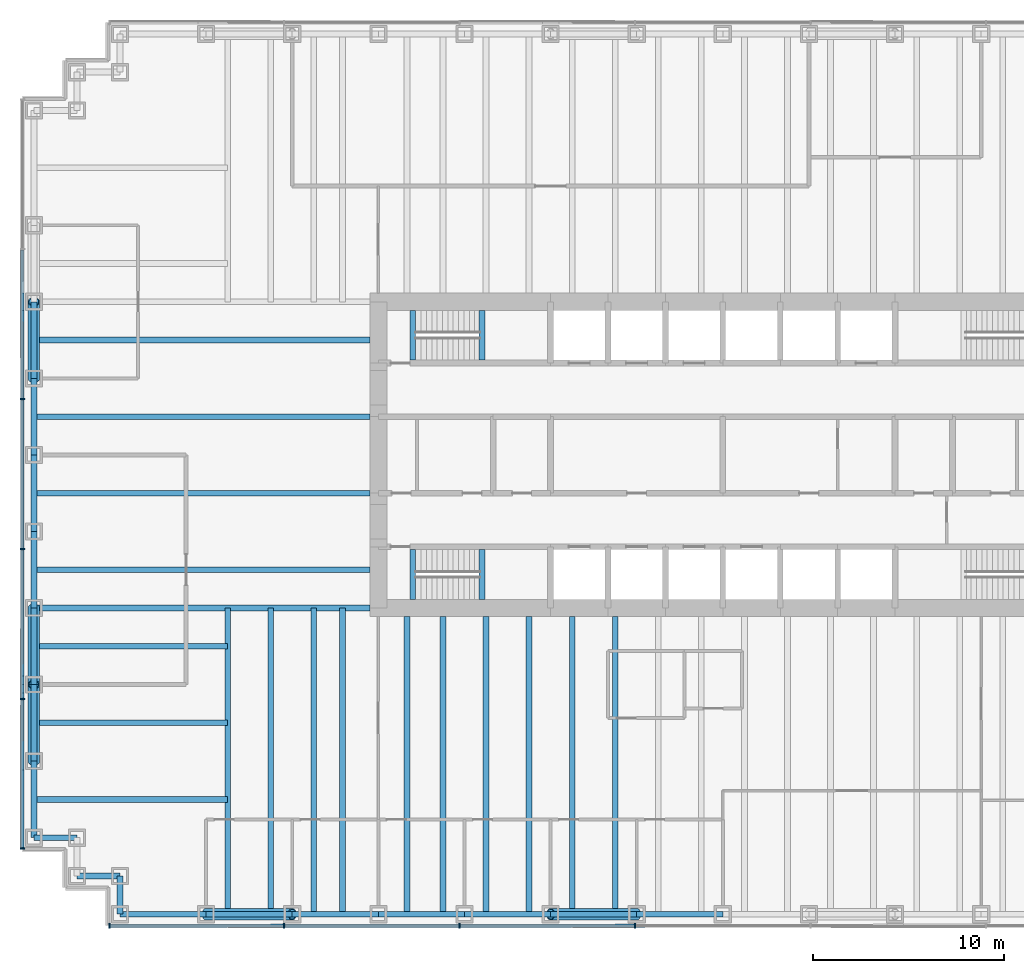
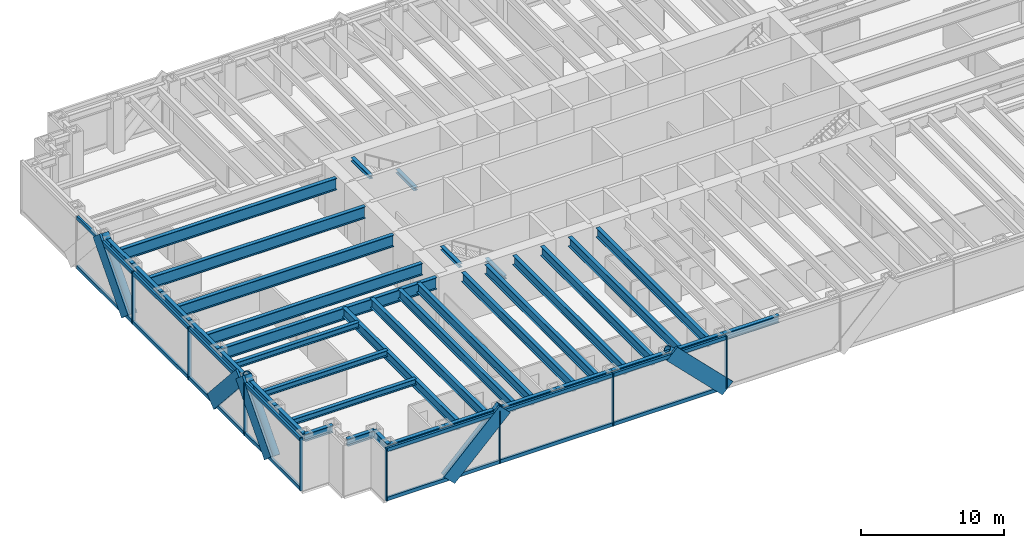
# One storey, part 2 of 13: 39 beams, 32 members, 2 elements without a shape of their own.
"""IFC4 building model written with IfcOpenShell, lengths in metres."""

from ifc_helpers import new_model, si_unit, direction, frame, origin, origin_2d, place, context, subcontext, project, spatial, rectangle, hollow_circle, i_section, extrude, material, material_profile, profile_set, type_object, element, aggregate, save


model = new_model("IFC4")

# Units and contexts
model_context = context("Model", 3, precision=1e-05, world=origin(), true_north=direction((0.0, 1.0)))
body_context = subcontext(model_context, "Body", "Model", "MODEL_VIEW")
ifc_project = project(units=[si_unit("LENGTHUNIT", "METRE"), si_unit("AREAUNIT", "SQUARE_METRE"), si_unit("VOLUMEUNIT", "CUBIC_METRE"), si_unit("PLANEANGLEUNIT", "RADIAN"), si_unit("MASSUNIT", "GRAM", prefix="KILO")], contexts=[model_context])

# Site, building, storey
site_placement = place(None, origin())
site = spatial("IfcSite", under=ifc_project, at=site_placement, CompositionType="ELEMENT")
building_placement = place(site_placement, origin())
building = spatial("IfcBuilding", under=site, at=building_placement, Name="Rheinbord Bourse Tower", CompositionType="ELEMENT")
storey_placement = place(building_placement, frame((0.0, 0.0, 68.0)))
storey = spatial("IfcBuildingStorey", under=building, at=storey_placement, Name="L14", CompositionType="ELEMENT", Elevation=68.0)

# Curtain wall, members
ifc_material_1 = material(Name="Dark glass and black aluminium", Category="aluminium")
curtain_wall_type = type_object("IfcCurtainWallType", Name="CW1 DARK GLASS CURTAIN WALL", PredefinedType="USERDEFINED", material=ifc_material_1)
curtain_wall_1_placement = place(storey_placement, origin())
curtain_wall_1 = element("IfcCurtainWall", 1, at=curtain_wall_1_placement, inside=storey, type_object=curtain_wall_type, Name="Curtain wall CW1 S L14", ObjectType="UNITISED CURTAIN WALL", PredefinedType="USERDEFINED")
ifc_material_2 = material(Name="Black anodised aluminium", Category="aluminium")
ifc_material_profile_1 = material_profile(ifc_material_2, rectangle(XDim=0.179931640625, YDim=1.2099609375, at=origin_2d()), Name="CW1 DIAGONAL MULLION 1210x180")
ifc_profile_set_1 = profile_set([ifc_material_profile_1], Name="Black anodised aluminium")
member_type_1 = type_object("IfcMemberType", Name="CW1 BLACK DIAGONAL MULLION", PredefinedType="USERDEFINED", material=ifc_profile_set_1)
member_1_placement = place(storey_placement, frame((9.0, -0.60009765625, 0.0), z_axis=(0.707106781187, 0.0, 0.707106781187), x_axis=(0.0, 1.0, 0.0)))
member_1 = element("IfcMember", 2, at=member_1_placement, type_object=member_type_1, Name="CW1 diagonal mullion b", ObjectType="DIAGONAL MULLION", PredefinedType="USERDEFINED", context=body_context, shape_type="SweptSolid", body=[
    extrude(rectangle(XDim=0.179931640625, YDim=1.2099609375, at=origin_2d()), origin(), (0.0, 0.0, 1.0), 6.364013671875),
])
member_2_placement = place(storey_placement, frame((31.5, -0.60009765625, 0.0), z_axis=(-0.707106781187, 0.0, 0.707106781187), x_axis=(0.0, -1.0, 0.0)))
member_2 = element("IfcMember", 3, at=member_2_placement, type_object=member_type_1, Name="CW1 diagonal mullion c", ObjectType="DIAGONAL MULLION", PredefinedType="USERDEFINED", context=body_context, shape_type="SweptSolid", body=[
    extrude(rectangle(XDim=0.179931640625, YDim=1.2099609375, at=origin_2d()), origin(), (0.0, 0.0, 1.0), 6.364013671875),
])

curtain_wall_2_placement = place(storey_placement, origin())
curtain_wall_2 = element("IfcCurtainWall", 4, at=curtain_wall_2_placement, inside=storey, type_object=curtain_wall_type, Name="Curtain wall CW1 W L14", ObjectType="UNITISED CURTAIN WALL", PredefinedType="USERDEFINED")
member_3_placement = place(storey_placement, frame((-0.60009765625, 16.0, 0.0), z_axis=(0.0, -0.66436383883, 0.747409318684), x_axis=(1.0, 0.0, 0.0)))
member_3 = element("IfcMember", 5, at=member_3_placement, type_object=member_type_1, Name="CW1 diagonal mullion a", ObjectType="DIAGONAL MULLION", PredefinedType="USERDEFINED", context=body_context, shape_type="SweptSolid", body=[
    extrude(rectangle(XDim=0.179931640625, YDim=1.2099609375, at=origin_2d()), origin(), (0.0, 0.0, 1.0), 6.020751953125),
])
member_4_placement = place(storey_placement, frame((-0.60009765625, 28.0, 0.0), z_axis=(0.0, 0.66436383883, 0.747409318684), x_axis=(-1.0, 0.0, 0.0)))
member_4 = element("IfcMember", 6, at=member_4_placement, type_object=member_type_1, Name="CW1 diagonal mullion b", ObjectType="DIAGONAL MULLION", PredefinedType="USERDEFINED", context=body_context, shape_type="SweptSolid", body=[
    extrude(rectangle(XDim=0.179931640625, YDim=1.2099609375, at=origin_2d()), origin(), (0.0, 0.0, 1.0), 6.020751953125),
])
member_5_placement = place(storey_placement, frame((-0.60009765625, 8.0, 0.0), z_axis=(0.0, 0.66436383883, 0.747409318684), x_axis=(-1.0, 0.0, 0.0)))
member_5 = element("IfcMember", 7, at=member_5_placement, type_object=member_type_1, Name="CW1 diagonal mullion c", ObjectType="DIAGONAL MULLION", PredefinedType="USERDEFINED", context=body_context, shape_type="SweptSolid", body=[
    extrude(rectangle(XDim=0.179931640625, YDim=1.2099609375, at=origin_2d()), origin(), (0.0, 0.0, 1.0), 6.020751953125),
])

# Member
ifc_material_3 = material(Name="Black anodised aluminium", Category="aluminium")
ifc_material_profile_2 = material_profile(ifc_material_3, rectangle(XDim=0.25, YDim=0.080078125, at=origin_2d()), Name="CW1 MULLION 80x250")
ifc_profile_set_2 = profile_set([ifc_material_profile_2], Name="Black anodised aluminium")
member_type_2 = type_object("IfcMemberType", Name="CW1 BLACK MULLION", PredefinedType="MULLION", material=ifc_profile_set_2)
member_6_placement = place(storey_placement, frame((3.93994140625, -0.60009765625, 0.0), z_axis=(0.0, 0.0, 1.0), x_axis=(0.0, 1.0, 0.0)))
member_6 = element("IfcMember", 8, at=member_6_placement, type_object=member_type_2, Name="CW1 mullion 1", PredefinedType="MULLION", context=body_context, shape_type="SweptSolid", body=[
    extrude(rectangle(XDim=0.25, YDim=0.080078125, at=origin_2d()), origin(), (0.0, 0.0, 1.0), 4.5),
])

member_7_placement = place(storey_placement, frame((13.071533203125, -0.60009765625, 0.0), z_axis=(0.0, 0.0, 1.0), x_axis=(0.0, 1.0, 0.0)))
member_7 = element("IfcMember", 9, at=member_7_placement, type_object=member_type_2, Name="CW1 mullion 2", PredefinedType="MULLION", context=body_context, shape_type="SweptSolid", body=[
    extrude(rectangle(XDim=0.25, YDim=0.080078125, at=origin_2d()), origin(), (0.0, 0.0, 1.0), 4.5),
])

member_8_placement = place(storey_placement, frame((22.242919921875, -0.60009765625, 0.0), z_axis=(0.0, 0.0, 1.0), x_axis=(0.0, 1.0, 0.0)))
member_8 = element("IfcMember", 10, at=member_8_placement, type_object=member_type_2, Name="CW1 mullion 3", PredefinedType="MULLION", context=body_context, shape_type="SweptSolid", body=[
    extrude(rectangle(XDim=0.25, YDim=0.080078125, at=origin_2d()), origin(), (0.0, 0.0, 1.0), 4.5),
])

member_9_placement = place(storey_placement, frame((31.414306640625, -0.60009765625, 0.0), z_axis=(0.0, 0.0, 1.0), x_axis=(0.0, 1.0, 0.0)))
member_9 = element("IfcMember", 11, at=member_9_placement, type_object=member_type_2, Name="CW1 mullion 4", PredefinedType="MULLION", context=body_context, shape_type="SweptSolid", body=[
    extrude(rectangle(XDim=0.25, YDim=0.080078125, at=origin_2d()), origin(), (0.0, 0.0, 1.0), 4.5),
])

member_10_placement = place(storey_placement, frame((-0.60009765625, 26.919921875, 0.0), z_axis=(0.0, 0.0, 1.0), x_axis=(1.0, 0.0, 0.0)))
member_10 = element("IfcMember", 12, at=member_10_placement, type_object=member_type_2, Name="CW1 mullion 3", PredefinedType="MULLION", context=body_context, shape_type="SweptSolid", body=[
    extrude(rectangle(XDim=0.25, YDim=0.080078125, at=origin_2d()), origin(), (0.0, 0.0, 1.0), 4.5),
])

member_11_placement = place(storey_placement, frame((-0.60009765625, 19.080078125, 0.0), z_axis=(0.0, 0.0, 1.0), x_axis=(1.0, 0.0, 0.0)))
member_11 = element("IfcMember", 13, at=member_11_placement, type_object=member_type_2, Name="CW1 mullion 4", PredefinedType="MULLION", context=body_context, shape_type="SweptSolid", body=[
    extrude(rectangle(XDim=0.25, YDim=0.080078125, at=origin_2d()), origin(), (0.0, 0.0, 1.0), 4.5),
])

member_12_placement = place(storey_placement, frame((-0.60009765625, 11.239990234375, 0.0), z_axis=(0.0, 0.0, 1.0), x_axis=(1.0, 0.0, 0.0)))
member_12 = element("IfcMember", 14, at=member_12_placement, type_object=member_type_2, Name="CW1 mullion 5", PredefinedType="MULLION", context=body_context, shape_type="SweptSolid", body=[
    extrude(rectangle(XDim=0.25, YDim=0.080078125, at=origin_2d()), origin(), (0.0, 0.0, 1.0), 4.5),
])

member_13_placement = place(storey_placement, frame((-0.60009765625, 3.43994140625, 0.0), z_axis=(0.0, 0.0, 1.0), x_axis=(1.0, 0.0, 0.0)))
member_13 = element("IfcMember", 15, at=member_13_placement, type_object=member_type_2, Name="CW1 mullion 6", PredefinedType="MULLION", context=body_context, shape_type="SweptSolid", body=[
    extrude(rectangle(XDim=0.25, YDim=0.080078125, at=origin_2d()), origin(), (0.0, 0.0, 1.0), 4.5),
])

ifc_material_4 = material(Name="Black anodised aluminium", Category="aluminium")
ifc_material_profile_3 = material_profile(ifc_material_4, rectangle(XDim=0.179931640625, YDim=0.300048828125, at=origin_2d()), Name="CW1 TRANSOM 300x180")
ifc_profile_set_3 = profile_set([ifc_material_profile_3], Name="Black anodised aluminium")
member_type_3 = type_object("IfcMemberType", Name="CW1 BLACK TRANSOM", PredefinedType="USERDEFINED", material=ifc_profile_set_3)
member_14_placement = place(storey_placement, frame((3.97998046875, -0.60009765625, 0.14990234375), z_axis=(1.0, 0.0, 0.0), x_axis=(0.0, 1.0, 0.0)))
member_14 = element("IfcMember", 16, at=member_14_placement, type_object=member_type_3, Name="CW1 transom 1.1", ObjectType="TRANSOM", PredefinedType="USERDEFINED", context=body_context, shape_type="SweptSolid", body=[
    extrude(rectangle(XDim=0.179931640625, YDim=0.300048828125, at=origin_2d()), origin(), (0.0, 0.0, 1.0), 9.051513671875),
])

member_15_placement = place(storey_placement, frame((3.97998046875, -0.60009765625, 4.35009765625), z_axis=(1.0, 0.0, 0.0), x_axis=(0.0, 1.0, 0.0)))
member_15 = element("IfcMember", 17, at=member_15_placement, type_object=member_type_3, Name="CW1 transom 1.2", ObjectType="TRANSOM", PredefinedType="USERDEFINED", context=body_context, shape_type="SweptSolid", body=[
    extrude(rectangle(XDim=0.179931640625, YDim=0.300048828125, at=origin_2d()), origin(), (0.0, 0.0, 1.0), 9.051513671875),
])

member_16_placement = place(storey_placement, frame((13.111328125, -0.60009765625, 0.14990234375), z_axis=(1.0, 0.0, 0.0), x_axis=(0.0, 1.0, 0.0)))
member_16 = element("IfcMember", 18, at=member_16_placement, type_object=member_type_3, Name="CW1 transom 2.1", ObjectType="TRANSOM", PredefinedType="USERDEFINED", context=body_context, shape_type="SweptSolid", body=[
    extrude(rectangle(XDim=0.179931640625, YDim=0.300048828125, at=origin_2d()), origin(), (0.0, 0.0, 1.0), 9.091552734375),
])

member_17_placement = place(storey_placement, frame((13.111328125, -0.60009765625, 4.35009765625), z_axis=(1.0, 0.0, 0.0), x_axis=(0.0, 1.0, 0.0)))
member_17 = element("IfcMember", 19, at=member_17_placement, type_object=member_type_3, Name="CW1 transom 2.2", ObjectType="TRANSOM", PredefinedType="USERDEFINED", context=body_context, shape_type="SweptSolid", body=[
    extrude(rectangle(XDim=0.179931640625, YDim=0.300048828125, at=origin_2d()), origin(), (0.0, 0.0, 1.0), 9.091552734375),
])

member_18_placement = place(storey_placement, frame((22.282958984375, -0.60009765625, 0.14990234375), z_axis=(1.0, 0.0, 0.0), x_axis=(0.0, 1.0, 0.0)))
member_18 = element("IfcMember", 20, at=member_18_placement, type_object=member_type_3, Name="CW1 transom 3.1", ObjectType="TRANSOM", PredefinedType="USERDEFINED", context=body_context, shape_type="SweptSolid", body=[
    extrude(rectangle(XDim=0.179931640625, YDim=0.300048828125, at=origin_2d()), origin(), (0.0, 0.0, 1.0), 9.09130859375),
])

member_19_placement = place(storey_placement, frame((22.282958984375, -0.60009765625, 4.35009765625), z_axis=(1.0, 0.0, 0.0), x_axis=(0.0, 1.0, 0.0)))
member_19 = element("IfcMember", 21, at=member_19_placement, type_object=member_type_3, Name="CW1 transom 3.2", ObjectType="TRANSOM", PredefinedType="USERDEFINED", context=body_context, shape_type="SweptSolid", body=[
    extrude(rectangle(XDim=0.179931640625, YDim=0.300048828125, at=origin_2d()), origin(), (0.0, 0.0, 1.0), 9.09130859375),
])

aggregate(curtain_wall_1, [member_6, member_7, member_8, member_9, member_14, member_15, member_16, member_17, member_18, member_19, member_1, member_2])

member_20_placement = place(storey_placement, frame((-0.60009765625, 34.719970703125, 0.14990234375), z_axis=(0.0, -1.0, 0.0), x_axis=(1.0, 0.0, 0.0)))
member_20 = element("IfcMember", 22, at=member_20_placement, type_object=member_type_3, Name="CW1 transom 2.1", ObjectType="TRANSOM", PredefinedType="USERDEFINED", context=body_context, shape_type="SweptSolid", body=[
    extrude(rectangle(XDim=0.179931640625, YDim=0.300048828125, at=origin_2d()), origin(), (0.0, 0.0, 1.0), 7.760009765625),
])

member_21_placement = place(storey_placement, frame((-0.60009765625, 34.719970703125, 4.35009765625), z_axis=(0.0, -1.0, 0.0), x_axis=(1.0, 0.0, 0.0)))
member_21 = element("IfcMember", 23, at=member_21_placement, type_object=member_type_3, Name="CW1 transom 2.2", ObjectType="TRANSOM", PredefinedType="USERDEFINED", context=body_context, shape_type="SweptSolid", body=[
    extrude(rectangle(XDim=0.179931640625, YDim=0.300048828125, at=origin_2d()), origin(), (0.0, 0.0, 1.0), 7.760009765625),
])

member_22_placement = place(storey_placement, frame((-0.60009765625, 26.8798828125, 0.14990234375), z_axis=(0.0, -1.0, 0.0), x_axis=(1.0, 0.0, 0.0)))
member_22 = element("IfcMember", 24, at=member_22_placement, type_object=member_type_3, Name="CW1 transom 3.1", ObjectType="TRANSOM", PredefinedType="USERDEFINED", context=body_context, shape_type="SweptSolid", body=[
    extrude(rectangle(XDim=0.179931640625, YDim=0.300048828125, at=origin_2d()), origin(), (0.0, 0.0, 1.0), 7.759765625),
])

member_23_placement = place(storey_placement, frame((-0.60009765625, 26.8798828125, 4.35009765625), z_axis=(0.0, -1.0, 0.0), x_axis=(1.0, 0.0, 0.0)))
member_23 = element("IfcMember", 25, at=member_23_placement, type_object=member_type_3, Name="CW1 transom 3.2", ObjectType="TRANSOM", PredefinedType="USERDEFINED", context=body_context, shape_type="SweptSolid", body=[
    extrude(rectangle(XDim=0.179931640625, YDim=0.300048828125, at=origin_2d()), origin(), (0.0, 0.0, 1.0), 7.759765625),
])

member_24_placement = place(storey_placement, frame((-0.60009765625, 19.0400390625, 0.14990234375), z_axis=(0.0, -1.0, 0.0), x_axis=(1.0, 0.0, 0.0)))
member_24 = element("IfcMember", 26, at=member_24_placement, type_object=member_type_3, Name="CW1 transom 4.1", ObjectType="TRANSOM", PredefinedType="USERDEFINED", context=body_context, shape_type="SweptSolid", body=[
    extrude(rectangle(XDim=0.179931640625, YDim=0.300048828125, at=origin_2d()), origin(), (0.0, 0.0, 1.0), 7.760009765625),
])

member_25_placement = place(storey_placement, frame((-0.60009765625, 19.0400390625, 4.35009765625), z_axis=(0.0, -1.0, 0.0), x_axis=(1.0, 0.0, 0.0)))
member_25 = element("IfcMember", 27, at=member_25_placement, type_object=member_type_3, Name="CW1 transom 4.2", ObjectType="TRANSOM", PredefinedType="USERDEFINED", context=body_context, shape_type="SweptSolid", body=[
    extrude(rectangle(XDim=0.179931640625, YDim=0.300048828125, at=origin_2d()), origin(), (0.0, 0.0, 1.0), 7.760009765625),
])

member_26_placement = place(storey_placement, frame((-0.60009765625, 11.199951171875, 0.14990234375), z_axis=(0.0, -1.0, 0.0), x_axis=(1.0, 0.0, 0.0)))
member_26 = element("IfcMember", 28, at=member_26_placement, type_object=member_type_3, Name="CW1 transom 5.1", ObjectType="TRANSOM", PredefinedType="USERDEFINED", context=body_context, shape_type="SweptSolid", body=[
    extrude(rectangle(XDim=0.179931640625, YDim=0.300048828125, at=origin_2d()), origin(), (0.0, 0.0, 1.0), 7.719970703125),
])

member_27_placement = place(storey_placement, frame((-0.60009765625, 11.199951171875, 4.35009765625), z_axis=(0.0, -1.0, 0.0), x_axis=(1.0, 0.0, 0.0)))
member_27 = element("IfcMember", 29, at=member_27_placement, type_object=member_type_3, Name="CW1 transom 5.2", ObjectType="TRANSOM", PredefinedType="USERDEFINED", context=body_context, shape_type="SweptSolid", body=[
    extrude(rectangle(XDim=0.179931640625, YDim=0.300048828125, at=origin_2d()), origin(), (0.0, 0.0, 1.0), 7.719970703125),
])

aggregate(curtain_wall_2, [member_10, member_11, member_12, member_13, member_20, member_21, member_22, member_23, member_24, member_25, member_26, member_27, member_3, member_4, member_5])

# Beams
ifc_material_5 = material(Name="Steel S460", Category="steel")
ifc_material_profile_4 = material_profile(ifc_material_5, i_section(OverallWidth=0.302001953125, OverallDepth=1.008056640625, WebThickness=0.02099609375, FlangeThickness=0.0400390625, at=origin_2d()), Name="HEM 1000")
ifc_profile_set_4 = profile_set([ifc_material_profile_4], Name="Steel S460")
beam_type_1 = type_object("IfcBeamType", Name="END BEAM HEM 1000", PredefinedType="BEAM", material=ifc_profile_set_4)
for number, where, z_axis, x_axis, name in (
    (30, (0.0, 18.0, 3.81591796875), (1.0, 0.0, 0.0), (0.0, 1.0, 0.0), "End beam west 18 L15"),
    (31, (0.0, 22.0, 3.81591796875), (1.0, 0.0, 0.0), (0.0, 1.0, 0.0), "End beam west 22 L15"),
    (32, (0.0, 26.0, 3.81591796875), (1.0, 0.0, 0.0), (0.0, 1.0, 0.0), "End beam west 26 L15"),
    (33, (0.0, 30.0, 3.81591796875), (1.0, 0.0, 0.0), (0.0, 1.0, 0.0), "End beam west 30 L15"),
):
    element("IfcBeam", number, at=place(storey_placement, frame(where, z_axis=z_axis, x_axis=x_axis)), inside=storey, type_object=beam_type_1, Name=name, PredefinedType="BEAM", context=body_context, shape_type="SweptSolid", body=[
        extrude(i_section(OverallWidth=0.302001953125, OverallDepth=1.008056640625, WebThickness=0.02099609375, FlangeThickness=0.0400390625, at=origin_2d()), origin(), (0.0, 0.0, 1.0), 17.550048828125),
    ])
ifc_material_6 = material(Name="Steel S460", Category="steel")
ifc_material_profile_5 = material_profile(ifc_material_6, i_section(OverallWidth=0.300048828125, OverallDepth=0.800048828125, WebThickness=0.017578125, FlangeThickness=0.032958984375, at=origin_2d()), Name="HEB 800")
ifc_profile_set_5 = profile_set([ifc_material_profile_5], Name="Steel S460")
beam_type_2 = type_object("IfcBeamType", Name="FLOOR BEAM HEB 800", PredefinedType="BEAM", material=ifc_profile_set_5)
for number, where, z_axis, x_axis, name in (
    (34, (10.125, 0.0, 3.919921875), (0.0, 1.0, 0.0), (-1.0, 0.0, 0.0), "Floor beam S-9a L15"),
    (35, (12.375, 0.0, 3.919921875), (0.0, 1.0, 0.0), (-1.0, 0.0, 0.0), "Floor beam S-9b L15"),
    (36, (14.625, 0.0, 3.919921875), (0.0, 1.0, 0.0), (-1.0, 0.0, 0.0), "Floor beam S-13.5a L15"),
    (37, (16.125, 0.0, 3.919921875), (0.0, 1.0, 0.0), (-1.0, 0.0, 0.0), "Floor beam S-13.5b L15"),
):
    element("IfcBeam", number, at=place(storey_placement, frame(where, z_axis=z_axis, x_axis=x_axis)), inside=storey, type_object=beam_type_2, Name=name, PredefinedType="BEAM", context=body_context, shape_type="SweptSolid", body=[
        extrude(i_section(OverallWidth=0.300048828125, OverallDepth=0.800048828125, WebThickness=0.017578125, FlangeThickness=0.032958984375, at=origin_2d()), origin(), (0.0, 0.0, 1.0), 16.0),
    ])
for number, where, z_axis, x_axis, name in (
    (38, (19.5, 0.0, 3.919921875), (0.0, 1.0, 0.0), (-1.0, 0.0, 0.0), "Floor beam S-18a L15"),
    (39, (21.375, 0.0, 3.919921875), (0.0, 1.0, 0.0), (-1.0, 0.0, 0.0), "Floor beam S-18b L15"),
    (40, (23.625, 0.0, 3.919921875), (0.0, 1.0, 0.0), (-1.0, 0.0, 0.0), "Floor beam S-22.5a L15"),
    (41, (25.875, 0.0, 3.919921875), (0.0, 1.0, 0.0), (-1.0, 0.0, 0.0), "Floor beam S-22.5b L15"),
    (42, (28.125, 0.0, 3.919921875), (0.0, 1.0, 0.0), (-1.0, 0.0, 0.0), "Floor beam S-27a L15"),
    (43, (30.375, 0.0, 3.919921875), (0.0, 1.0, 0.0), (-1.0, 0.0, 0.0), "Floor beam S-27b L15"),
):
    element("IfcBeam", number, at=place(storey_placement, frame(where, z_axis=z_axis, x_axis=x_axis)), inside=storey, type_object=beam_type_2, Name=name, PredefinedType="BEAM", context=body_context, shape_type="SweptSolid", body=[
        extrude(i_section(OverallWidth=0.300048828125, OverallDepth=0.800048828125, WebThickness=0.017578125, FlangeThickness=0.032958984375, at=origin_2d()), origin(), (0.0, 0.0, 1.0), 15.550048828125),
    ])
ifc_material_7 = material(Name="Steel S460", Category="steel")
ifc_material_profile_6 = material_profile(ifc_material_7, i_section(OverallWidth=0.302001953125, OverallDepth=1.008056640625, WebThickness=0.02099609375, FlangeThickness=0.0400390625, at=origin_2d()), Name="HEM 1000")
ifc_profile_set_6 = profile_set([ifc_material_profile_6], Name="Steel S460")
beam_type_3 = type_object("IfcBeamType", Name="GIRDER HEM 1000", PredefinedType="BEAM", material=ifc_profile_set_6)
beam_1_placement = place(storey_placement, frame((0.0, 16.0, 3.81591796875), z_axis=(1.0, 0.0, 0.0), x_axis=(0.0, 1.0, 0.0)))
element("IfcBeam", 44, at=beam_1_placement, inside=storey, type_object=beam_type_3, Name="Girder west 16 L15", PredefinedType="BEAM", context=body_context, shape_type="SweptSolid", body=[
    extrude(i_section(OverallWidth=0.302001953125, OverallDepth=1.008056640625, WebThickness=0.02099609375, FlangeThickness=0.0400390625, at=origin_2d()), origin(), (0.0, 0.0, 1.0), 17.550048828125),
])
ifc_material_8 = material(Name="Steel S460", Category="steel")
ifc_material_profile_7 = material_profile(ifc_material_8, i_section(OverallWidth=0.300048828125, OverallDepth=0.300048828125, WebThickness=0.010986328125, FlangeThickness=0.01904296875, at=origin_2d()), Name="HEB 300")
ifc_profile_set_7 = profile_set([ifc_material_profile_7], Name="Steel S460")
beam_type_4 = type_object("IfcBeamType", Name="LANDING TRIMMER HEB 300", PredefinedType="BEAM", material=ifc_profile_set_7)
for number, where, z_axis, x_axis, name in (
    (45, (23.409912109375, 16.449951171875, 1.89990234375), (0.0, 1.0, 0.0), (-1.0, 0.0, 0.0), "Landing trimmer ST1 L14"),
    (46, (19.800048828125, 16.449951171875, 4.169921875), (0.0, 1.0, 0.0), (-1.0, 0.0, 0.0), "Well trimmer ST1 under L15"),
    (47, (23.409912109375, 28.949951171875, 1.89990234375), (0.0, 1.0, 0.0), (-1.0, 0.0, 0.0), "Landing trimmer ST2 L14"),
    (48, (19.800048828125, 28.949951171875, 4.169921875), (0.0, 1.0, 0.0), (-1.0, 0.0, 0.0), "Well trimmer ST2 under L15"),
):
    element("IfcBeam", number, at=place(storey_placement, frame(where, z_axis=z_axis, x_axis=x_axis)), inside=storey, type_object=beam_type_4, Name=name, PredefinedType="BEAM", context=body_context, shape_type="SweptSolid", body=[
        extrude(i_section(OverallWidth=0.300048828125, OverallDepth=0.300048828125, WebThickness=0.010986328125, FlangeThickness=0.01904296875, at=origin_2d()), origin(), (0.0, 0.0, 1.0), 2.60009765625),
    ])

# Members
ifc_material_9 = material(Name="Steel S460", Category="steel")
ifc_material_profile_8 = material_profile(ifc_material_9, hollow_circle(Radius=0.304931640625, WallThickness=0.050048828125, at=origin_2d()), Name="CHS 610x50")
ifc_profile_set_8 = profile_set([ifc_material_profile_8], Name="Steel S460")
member_type_4 = type_object("IfcMemberType", Name="MEGABRACE CHS 610x50", PredefinedType="BRACE", material=ifc_profile_set_8)
for number, where, z_axis, x_axis, name in (
    (49, (9.0, 0.0, 0.0), (0.707106781187, 0.0, 0.707106781187), (0.0, 1.0, 0.0), "Megabrace S face line b L14"),
    (50, (31.5, 0.0, 0.0), (-0.707106781187, 0.0, 0.707106781187), (0.0, -1.0, 0.0), "Megabrace S face line c L14"),
):
    element("IfcMember", number, at=place(storey_placement, frame(where, z_axis=z_axis, x_axis=x_axis)), inside=storey, type_object=member_type_4, Name=name, PredefinedType="BRACE", context=body_context, shape_type="SweptSolid", body=[
        extrude(hollow_circle(Radius=0.304931640625, WallThickness=0.050048828125, at=origin_2d()), origin(), (0.0, 0.0, 1.0), 6.364013671875),
    ])
for number, where, z_axis, x_axis, name in (
    (51, (0.0, 16.0, 0.0), (0.0, -0.66436383883, 0.747409318684), (1.0, 0.0, 0.0), "Megabrace W face line a L14"),
    (52, (0.0, 28.0, 0.0), (0.0, 0.66436383883, 0.747409318684), (-1.0, 0.0, 0.0), "Megabrace W face line b L14"),
    (53, (0.0, 8.0, 0.0), (0.0, 0.66436383883, 0.747409318684), (-1.0, 0.0, 0.0), "Megabrace W face line c L14"),
):
    element("IfcMember", number, at=place(storey_placement, frame(where, z_axis=z_axis, x_axis=x_axis)), inside=storey, type_object=member_type_4, Name=name, PredefinedType="BRACE", context=body_context, shape_type="SweptSolid", body=[
        extrude(hollow_circle(Radius=0.304931640625, WallThickness=0.050048828125, at=origin_2d()), origin(), (0.0, 0.0, 1.0), 6.020751953125),
    ])

# Beams
ifc_material_10 = material(Name="Steel S460", Category="steel")
ifc_material_profile_9 = material_profile(ifc_material_10, i_section(OverallWidth=0.304931640625, OverallDepth=0.6201171875, WebThickness=0.02099609375, FlangeThickness=0.0400390625, at=origin_2d()), Name="HEM 600")
ifc_profile_set_9 = profile_set([ifc_material_profile_9], Name="Steel S460")
beam_type_5 = type_object("IfcBeamType", Name="SPANDREL HEM 600", PredefinedType="SPANDREL", material=ifc_profile_set_9)
for number, where, z_axis, x_axis, name in (
    (54, (4.5, 0.0, 4.010009765625), (1.0, 0.0, 0.0), (0.0, 1.0, 0.0), "Spandrel SW-E-S-9 under L15"),
    (55, (9.0, 0.0, 4.010009765625), (1.0, 0.0, 0.0), (0.0, 1.0, 0.0), "Spandrel S-9-S-13.5 under L15"),
    (56, (13.5, 0.0, 4.010009765625), (1.0, 0.0, 0.0), (0.0, 1.0, 0.0), "Spandrel S-13.5-S-18 under L15"),
    (57, (18.0, 0.0, 4.010009765625), (1.0, 0.0, 0.0), (0.0, 1.0, 0.0), "Spandrel S-18-S-22.5 under L15"),
    (58, (22.5, 0.0, 4.010009765625), (1.0, 0.0, 0.0), (0.0, 1.0, 0.0), "Spandrel S-22.5-S-27 under L15"),
    (59, (27.0, 0.0, 4.010009765625), (1.0, 0.0, 0.0), (0.0, 1.0, 0.0), "Spandrel S-27-S-31.5 under L15"),
    (60, (31.5, 0.0, 4.010009765625), (1.0, 0.0, 0.0), (0.0, 1.0, 0.0), "Spandrel S-31.5-S-36 under L15"),
):
    element("IfcBeam", number, at=place(storey_placement, frame(where, z_axis=z_axis, x_axis=x_axis)), inside=storey, type_object=beam_type_5, Name=name, PredefinedType="SPANDREL", context=body_context, shape_type="SweptSolid", body=[
        extrude(i_section(OverallWidth=0.304931640625, OverallDepth=0.6201171875, WebThickness=0.02099609375, FlangeThickness=0.0400390625, at=origin_2d()), origin(), (0.0, 0.0, 1.0), 4.5),
    ])
for number, where, z_axis, x_axis, name in (
    (61, (0.0, 32.0, 4.010009765625), (0.0, -1.0, 0.0), (1.0, 0.0, 0.0), "Spandrel W-32-W-28 under L15"),
    (62, (0.0, 28.0, 4.010009765625), (0.0, -1.0, 0.0), (1.0, 0.0, 0.0), "Spandrel W-28-W-24 under L15"),
    (63, (0.0, 24.0, 4.010009765625), (0.0, -1.0, 0.0), (1.0, 0.0, 0.0), "Spandrel W-24-W-20 under L15"),
    (64, (0.0, 20.0, 4.010009765625), (0.0, -1.0, 0.0), (1.0, 0.0, 0.0), "Spandrel W-20-W-16 under L15"),
    (65, (0.0, 16.0, 4.010009765625), (0.0, -1.0, 0.0), (1.0, 0.0, 0.0), "Spandrel W-16-W-12 under L15"),
    (66, (0.0, 12.0, 4.010009765625), (0.0, -1.0, 0.0), (1.0, 0.0, 0.0), "Spandrel W-12-W-8 under L15"),
    (67, (0.0, 8.0, 4.010009765625), (0.0, -1.0, 0.0), (1.0, 0.0, 0.0), "Spandrel W-8-SW-A under L15"),
):
    element("IfcBeam", number, at=place(storey_placement, frame(where, z_axis=z_axis, x_axis=x_axis)), inside=storey, type_object=beam_type_5, Name=name, PredefinedType="SPANDREL", context=body_context, shape_type="SweptSolid", body=[
        extrude(i_section(OverallWidth=0.304931640625, OverallDepth=0.6201171875, WebThickness=0.02099609375, FlangeThickness=0.0400390625, at=origin_2d()), origin(), (0.0, 0.0, 1.0), 4.0),
    ])
for number, where, z_axis, x_axis, name in (
    (68, (0.0, 4.0, 4.010009765625), (1.0, 0.0, 0.0), (0.0, 1.0, 0.0), "Spandrel SW-A-SW-B under L15"),
    (69, (2.25, 2.0, 4.010009765625), (1.0, 0.0, 0.0), (0.0, 1.0, 0.0), "Spandrel SW-C-SW-D under L15"),
):
    element("IfcBeam", number, at=place(storey_placement, frame(where, z_axis=z_axis, x_axis=x_axis)), inside=storey, type_object=beam_type_5, Name=name, PredefinedType="SPANDREL", context=body_context, shape_type="SweptSolid", body=[
        extrude(i_section(OverallWidth=0.304931640625, OverallDepth=0.6201171875, WebThickness=0.02099609375, FlangeThickness=0.0400390625, at=origin_2d()), origin(), (0.0, 0.0, 1.0), 2.25),
    ])
beam_2_placement = place(storey_placement, frame((4.5, 2.0, 4.010009765625), z_axis=(0.0, -1.0, 0.0), x_axis=(1.0, 0.0, 0.0)))
element("IfcBeam", 70, at=beam_2_placement, inside=storey, type_object=beam_type_5, Name="Spandrel SW-D-SW-E under L15", PredefinedType="SPANDREL", context=body_context, shape_type="SweptSolid", body=[
    extrude(i_section(OverallWidth=0.304931640625, OverallDepth=0.6201171875, WebThickness=0.02099609375, FlangeThickness=0.0400390625, at=origin_2d()), origin(), (0.0, 0.0, 1.0), 2.0),
])
ifc_material_11 = material(Name="Steel S460", Category="steel")
ifc_material_profile_10 = material_profile(ifc_material_11, i_section(OverallWidth=0.300048828125, OverallDepth=0.5, WebThickness=0.014404296875, FlangeThickness=0.028076171875, at=origin_2d()), Name="HEB 500")
ifc_profile_set_10 = profile_set([ifc_material_profile_10], Name="Steel S460")
beam_type_6 = type_object("IfcBeamType", Name="TIE BEAM HEB 500", PredefinedType="JOIST", material=ifc_profile_set_10)
for number, where, z_axis, x_axis, name in (
    (71, (0.0, 6.0, 4.070068359375), (1.0, 0.0, 0.0), (0.0, 1.0, 0.0), "Tie west 6 L15"),
    (72, (0.0, 10.0, 4.070068359375), (1.0, 0.0, 0.0), (0.0, 1.0, 0.0), "Tie west 10 L15"),
    (73, (0.0, 14.0, 4.070068359375), (1.0, 0.0, 0.0), (0.0, 1.0, 0.0), "Tie west 14 L15"),
):
    element("IfcBeam", number, at=place(storey_placement, frame(where, z_axis=z_axis, x_axis=x_axis)), inside=storey, type_object=beam_type_6, Name=name, PredefinedType="JOIST", context=body_context, shape_type="SweptSolid", body=[
        extrude(i_section(OverallWidth=0.300048828125, OverallDepth=0.5, WebThickness=0.014404296875, FlangeThickness=0.028076171875, at=origin_2d()), origin(), (0.0, 0.0, 1.0), 10.125),
    ])

save(model, "model.ifc")
